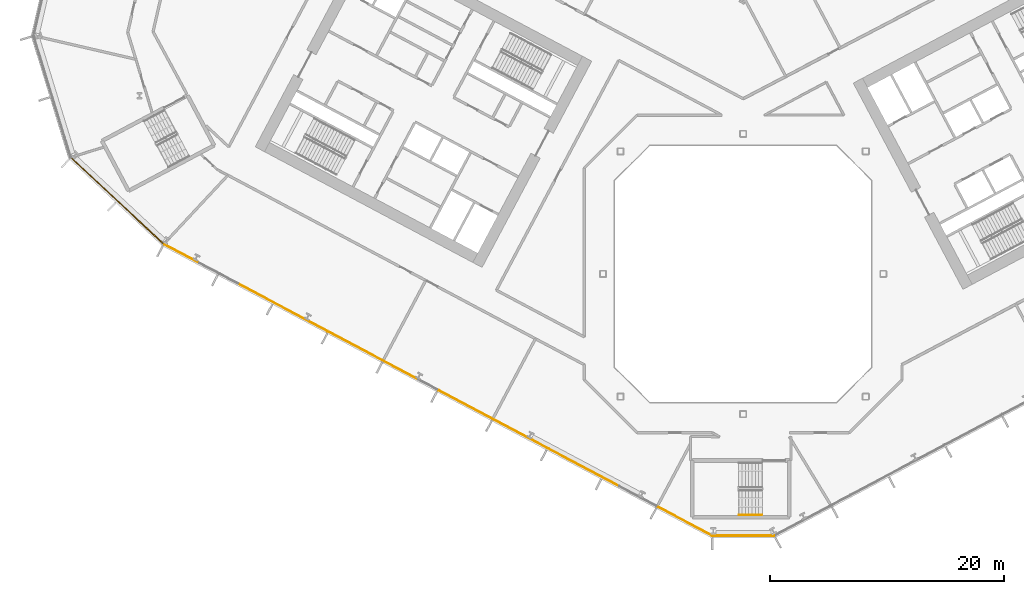
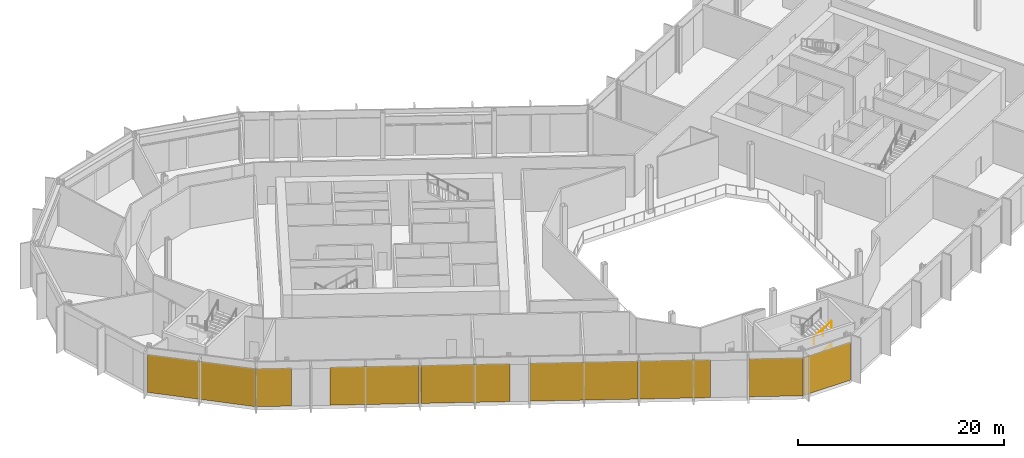
# One storey, part 20 of 31: 8 coverings, 2 railings, 3 elements without a shape of their own.
"""IFC4 building model written with IfcOpenShell, lengths in metres."""

from ifc_helpers import new_model, si_unit, direction, frame, origin, origin_2d, place, context, subcontext, project, spatial, polyline, rectangle, outline, extrude, material, layer, layer_set, type_object, element, aggregate, save


model = new_model("IFC4")

# Units and contexts
model_context = context("Model", 3, precision=1e-05, world=origin(), true_north=direction((0.0, 1.0)))
body_context = subcontext(model_context, "Body", "Model", "MODEL_VIEW")
ifc_project = project(units=[si_unit("LENGTHUNIT", "METRE"), si_unit("AREAUNIT", "SQUARE_METRE"), si_unit("VOLUMEUNIT", "CUBIC_METRE"), si_unit("PLANEANGLEUNIT", "RADIAN"), si_unit("MASSUNIT", "GRAM", prefix="KILO")], contexts=[model_context])

# Site, building, storey
site_placement = place(None, origin())
site = spatial("IfcSite", under=ifc_project, at=site_placement, CompositionType="ELEMENT")
building_placement = place(site_placement, origin())
building = spatial("IfcBuilding", under=site, at=building_placement, Name="Cormorant Relay Tower", CompositionType="ELEMENT")
storey_placement = place(building_placement, frame((0.0, 0.0, 12.199951171875)))
storey = spatial("IfcBuildingStorey", under=building, at=storey_placement, Name="L02", CompositionType="ELEMENT", Elevation=12.199951171875)

# Curtain wall, covering
ifc_material_1 = material(Name="Aluminium 6063-T6 anodised bronze", Category="aluminium")
ifc_layer_1 = layer(ifc_material_1, 0.235107421875)
ifc_layer_set_1 = layer_set([ifc_layer_1], Name="CW6 data hall curtain wall with mineral wool panels")
curtain_wall_type = type_object("IfcCurtainWallType", Name="CW6 data hall curtain wall with mineral wool panels", PredefinedType="NOTDEFINED", material=ifc_layer_set_1)
curtain_wall_1_placement = place(storey_placement, origin())
curtain_wall_1 = element("IfcCurtainWall", 1, at=curtain_wall_1_placement, inside=storey, type_object=curtain_wall_type, Name="CW6 curtain wall 1", PredefinedType="NOTDEFINED")
ifc_material_2 = material(Name="Mineral wool cored anodised bronze aluminium cassette panel", Category="aluminium")
ifc_layer_2 = layer(ifc_material_2, 0.074951171875)
ifc_layer_set_2 = layer_set([ifc_layer_2], Name="CW6 mineral wool cassette panel 75")
covering_type = type_object("IfcCoveringType", Name="CW6 mineral wool cassette panel 75", PredefinedType="CLADDING", material=ifc_layer_set_2)
covering_1_placement = place(storey_placement, frame((0.03759765625, -22.4130859375, 0.0), z_axis=(0.0, 0.0, 1.0), x_axis=(1.0, 0.0, 0.0)))
covering_1 = element("IfcCovering", 2, at=covering_1_placement, type_object=covering_type, Name="CW6 panel S00", PredefinedType="CLADDING", context=body_context, shape_type="SweptSolid", body=[
    extrude(rectangle(XDim=5.22265625, YDim=0.074951171875, at=origin_2d()), origin(), (0.0, 0.0, 1.0), 4.5),
])
aggregate(curtain_wall_1, [covering_1])

curtain_wall_2_placement = place(storey_placement, origin())
curtain_wall_2 = element("IfcCurtainWall", 3, at=curtain_wall_2_placement, inside=storey, type_object=curtain_wall_type, Name="CW6 curtain wall 13", PredefinedType="NOTDEFINED")
covering_2_placement = place(storey_placement, frame((-53.564697265625, 6.238037109375, 0.0), z_axis=(0.0, 0.0, 1.0), x_axis=(0.731353701619, -0.681998360062, 0.0)))
covering_2 = element("IfcCovering", 4, at=covering_2_placement, type_object=covering_type, Name="CW6 panel S00", PredefinedType="CLADDING", context=body_context, shape_type="SweptSolid", body=[
    extrude(rectangle(XDim=10.79541015625, YDim=0.074951171875, at=origin_2d()), origin(), (0.0, 0.0, 1.0), 4.5),
])
aggregate(curtain_wall_2, [covering_2])

# Curtain wall, coverings
curtain_wall_3_placement = place(storey_placement, origin())
curtain_wall_3 = element("IfcCurtainWall", 5, at=curtain_wall_3_placement, inside=storey, type_object=curtain_wall_type, Name="CW6 curtain wall 14", PredefinedType="NOTDEFINED")
covering_3_placement = place(storey_placement, frame((-48.056640625, 1.7255859375, 0.0), z_axis=(0.0, 0.0, 1.0), x_axis=(0.882947592859, -0.469471562786, 0.0)))
covering_3 = element("IfcCovering", 6, at=covering_3_placement, type_object=covering_type, Name="CW6 panel S00", PredefinedType="CLADDING", context=body_context, shape_type="SweptSolid", body=[
    extrude(rectangle(XDim=3.36669921875, YDim=0.074951171875, at=origin_2d()), origin(), (0.0, 0.0, 1.0), 4.5),
])
covering_4_placement = place(storey_placement, frame((-39.426025390625, -2.86328125, 0.0), z_axis=(0.0, 0.0, 1.0), x_axis=(0.882947592859, -0.469471562786, 0.0)))
covering_4 = element("IfcCovering", 7, at=covering_4_placement, type_object=covering_type, Name="CW6 panel S03", PredefinedType="CLADDING", context=body_context, shape_type="SweptSolid", body=[
    extrude(rectangle(XDim=8.68310546875, YDim=0.074951171875, at=origin_2d()), origin(), (0.0, 0.0, 1.0), 4.5),
])
covering_5_placement = place(storey_placement, frame((-31.626708984375, -7.01025390625, 0.0), z_axis=(0.0, 0.0, 1.0), x_axis=(0.882947592859, -0.469471562786, 0.0)))
covering_5 = element("IfcCovering", 8, at=covering_5_placement, type_object=covering_type, Name="CW6 panel S04", PredefinedType="CLADDING", context=body_context, shape_type="SweptSolid", body=[
    extrude(rectangle(XDim=8.68310546875, YDim=0.074951171875, at=origin_2d()), origin(), (0.0, 0.0, 1.0), 4.5),
])
covering_6_placement = place(storey_placement, frame((-21.443603515625, -12.4248046875, 0.0), z_axis=(0.0, 0.0, 1.0), x_axis=(0.882947592859, -0.469471562786, 0.0)))
covering_6 = element("IfcCovering", 9, at=covering_6_placement, type_object=covering_type, Name="CW6 panel S06", PredefinedType="CLADDING", context=body_context, shape_type="SweptSolid", body=[
    extrude(rectangle(XDim=10.483154296875, YDim=0.074951171875, at=origin_2d()), origin(), (0.0, 0.0, 1.0), 4.5),
])
covering_7_placement = place(storey_placement, frame((-13.644287109375, -16.571533203125, 0.0), z_axis=(0.0, 0.0, 1.0), x_axis=(0.882947592859, -0.469471562786, 0.0)))
covering_7 = element("IfcCovering", 10, at=covering_7_placement, type_object=covering_type, Name="CW6 panel S07", PredefinedType="CLADDING", context=body_context, shape_type="SweptSolid", body=[
    extrude(rectangle(XDim=6.88330078125, YDim=0.074951171875, at=origin_2d()), origin(), (0.0, 0.0, 1.0), 4.5),
])
covering_8_placement = place(storey_placement, frame((-4.98046875, -21.17822265625, 0.0), z_axis=(0.0, 0.0, 1.0), x_axis=(0.882947592859, -0.469471562786, 0.0)))
covering_8 = element("IfcCovering", 11, at=covering_8_placement, type_object=covering_type, Name="CW6 panel S09", PredefinedType="CLADDING", context=body_context, shape_type="SweptSolid", body=[
    extrude(rectangle(XDim=5.24169921875, YDim=0.074951171875, at=origin_2d()), origin(), (0.0, 0.0, 1.0), 4.5),
])
aggregate(curtain_wall_3, [covering_3, covering_4, covering_5, covering_6, covering_7, covering_8])

# Railings
ifc_material_3 = material(Name="Steel ASTM A572 Grade 50 (Fy 345 MPa)", Category="steel")
railing_type = type_object("IfcRailingType", Name="Stair handrail 900", PredefinedType="HANDRAIL", material=ifc_material_3)
railing_1_placement = place(storey_placement, frame((-0.360107421875, -20.625, 1.518798828125)))
element("IfcRailing", 12, at=railing_1_placement, inside=storey, type_object=railing_type, Name="L02 RK1 stair handrail 2", PredefinedType="HANDRAIL", context=body_context, shape_type="SweptSolid", body=[
    extrude(outline(polyline([(0.022216796875, 0.00927734375), (0.00927734375, 0.022216796875), (-0.00927734375, 0.022216796875), (-0.022216796875, 0.00927734375), (-0.022216796875, -0.00927734375), (-0.00927734375, -0.022216796875), (0.00927734375, -0.022216796875), (0.022216796875, -0.00927734375), (0.022216796875, 0.00927734375)])), frame((0.0, 0.0, 0.8759765625), z_axis=(0.856521883693, 0.0, 0.516110707847), x_axis=(0.0, 1.0, 0.0)), (0.0, 0.0, 1.0), 2.28857421875),
    extrude(outline(polyline([(0.019287109375, 0.008056640625), (0.008056640625, 0.019287109375), (-0.008056640625, 0.019287109375), (-0.019287109375, 0.008056640625), (-0.019287109375, -0.008056640625), (-0.008056640625, -0.019287109375), (0.008056640625, -0.019287109375), (0.019287109375, -0.008056640625), (0.019287109375, 0.008056640625)])), origin(), (0.0, 0.0, 1.0), 0.851806640625),
    extrude(outline(polyline([(0.019287109375, 0.008056640625), (0.008056640625, 0.019287109375), (-0.008056640625, 0.019287109375), (-0.019287109375, 0.008056640625), (-0.019287109375, -0.008056640625), (-0.008056640625, -0.019287109375), (0.008056640625, -0.019287109375), (0.019287109375, -0.008056640625), (0.019287109375, 0.008056640625)])), frame((0.97998046875, 0.0, 0.590576171875)), (0.0, 0.0, 1.0), 0.851806640625),
    extrude(outline(polyline([(0.019287109375, 0.008056640625), (0.008056640625, 0.019287109375), (-0.008056640625, 0.019287109375), (-0.019287109375, 0.008056640625), (-0.019287109375, -0.008056640625), (-0.008056640625, -0.019287109375), (0.008056640625, -0.019287109375), (0.019287109375, -0.008056640625), (0.019287109375, 0.008056640625)])), frame((1.960205078125, 0.0, 1.18115234375)), (0.0, 0.0, 1.0), 0.851806640625),
])
railing_2_placement = place(storey_placement, frame((-0.360107421875, -20.625, 4.21875)))
element("IfcRailing", 13, at=railing_2_placement, inside=storey, type_object=railing_type, Name="L02 RK1 stair handrail 4", PredefinedType="HANDRAIL", context=body_context, shape_type="SweptSolid", body=[
    extrude(outline(polyline([(0.022216796875, 0.00927734375), (0.00927734375, 0.022216796875), (-0.00927734375, 0.022216796875), (-0.022216796875, 0.00927734375), (-0.022216796875, -0.00927734375), (-0.00927734375, -0.022216796875), (0.00927734375, -0.022216796875), (0.022216796875, -0.00927734375), (0.022216796875, 0.00927734375)])), frame((0.0, 0.0, 0.8759765625), z_axis=(0.856474724393, 0.0, 0.516188963923), x_axis=(0.0, 1.0, 0.0)), (0.0, 0.0, 1.0), 2.28857421875),
    extrude(outline(polyline([(0.019287109375, 0.008056640625), (0.008056640625, 0.019287109375), (-0.008056640625, 0.019287109375), (-0.019287109375, 0.008056640625), (-0.019287109375, -0.008056640625), (-0.008056640625, -0.019287109375), (0.008056640625, -0.019287109375), (0.019287109375, -0.008056640625), (0.019287109375, 0.008056640625)])), origin(), (0.0, 0.0, 1.0), 0.851806640625),
    extrude(outline(polyline([(0.019287109375, 0.008056640625), (0.008056640625, 0.019287109375), (-0.008056640625, 0.019287109375), (-0.019287109375, 0.008056640625), (-0.019287109375, -0.008056640625), (-0.008056640625, -0.019287109375), (0.008056640625, -0.019287109375), (0.019287109375, -0.008056640625), (0.019287109375, 0.008056640625)])), frame((0.97998046875, 0.0, 0.5908203125)), (0.0, 0.0, 1.0), 0.851806640625),
    extrude(outline(polyline([(0.019287109375, 0.008056640625), (0.008056640625, 0.019287109375), (-0.008056640625, 0.019287109375), (-0.019287109375, 0.008056640625), (-0.019287109375, -0.008056640625), (-0.008056640625, -0.019287109375), (0.008056640625, -0.019287109375), (0.019287109375, -0.008056640625), (0.019287109375, 0.008056640625)])), frame((1.960205078125, 0.0, 1.181396484375)), (0.0, 0.0, 1.0), 0.851806640625),
])

save(model, "model.ifc")
